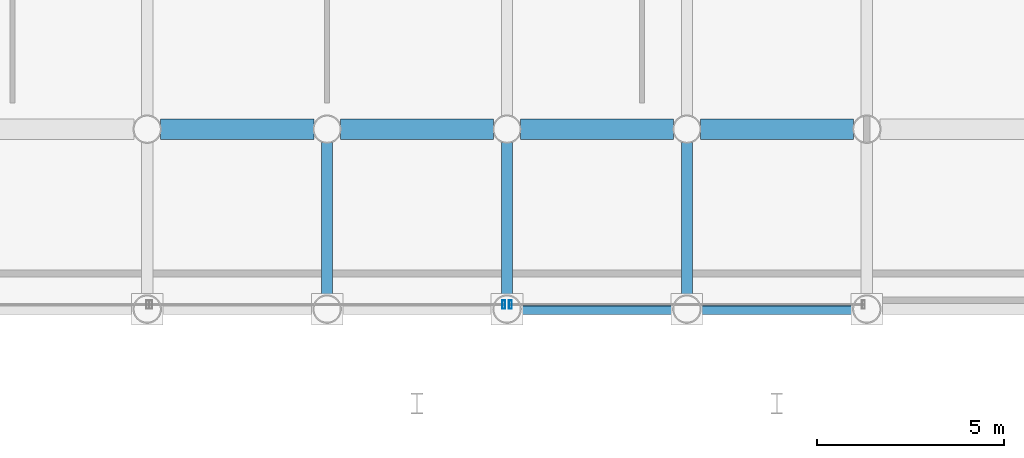
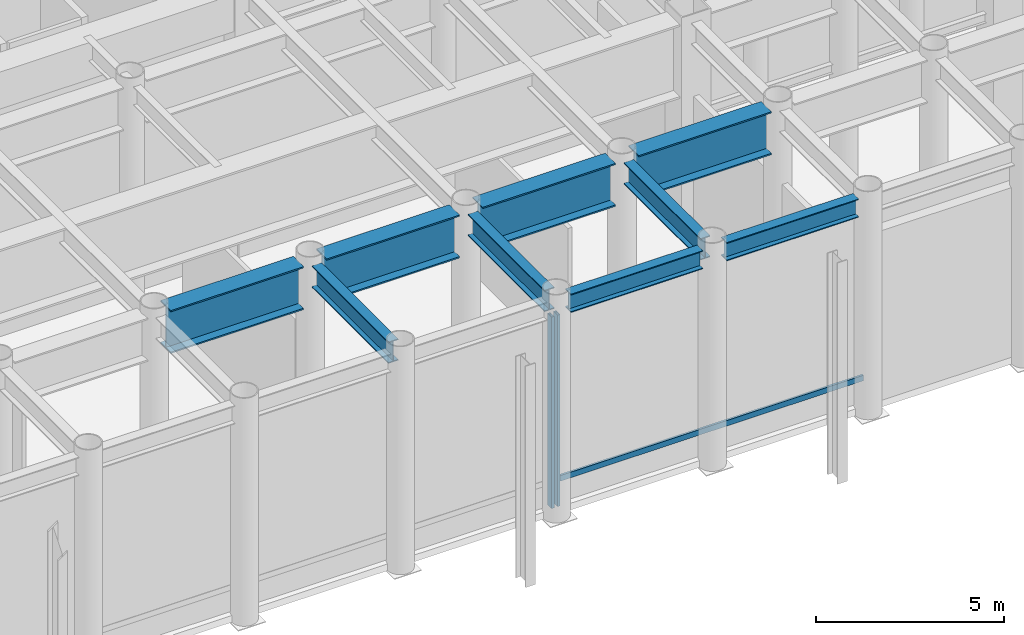
# One storey, part 6 of 23: 9 beams, 3 members, 2 elements without a shape of their own.
"""IFC4 building model written with IfcOpenShell, lengths in metres."""

from ifc_helpers import new_model, si_unit, direction, frame, origin, origin_2d, place, context, subcontext, project, spatial, hollow_rectangle, i_section, extrude, material, layer, layer_set, material_profile, profile_set, type_object, element, aggregate, save


model = new_model("IFC4")

# Units and contexts
model_context = context("Model", 3, precision=1e-05, world=origin(), true_north=direction((0.0, 1.0)))
body_context = subcontext(model_context, "Body", "Model", "MODEL_VIEW")
ifc_project = project(units=[si_unit("LENGTHUNIT", "METRE"), si_unit("AREAUNIT", "SQUARE_METRE"), si_unit("VOLUMEUNIT", "CUBIC_METRE"), si_unit("PLANEANGLEUNIT", "RADIAN"), si_unit("MASSUNIT", "GRAM", prefix="KILO")], contexts=[model_context])

# Site, building, storey
site_placement = place(None, origin())
site = spatial("IfcSite", under=ifc_project, at=site_placement, CompositionType="ELEMENT")
building_placement = place(site_placement, origin())
building = spatial("IfcBuilding", under=site, at=building_placement, Name="Kallvorn Hotel Tower", CompositionType="ELEMENT")
storey_placement = place(building_placement, frame((0.0, 0.0, 12.0)))
storey = spatial("IfcBuildingStorey", under=building, at=storey_placement, Name="L02", CompositionType="ELEMENT", Elevation=12.0)

# Beams
ifc_material_1 = material(Name="Structural steel S355JR", Category="steel")
ifc_material_profile_1 = material_profile(ifc_material_1, i_section(OverallWidth=0.300048828125, OverallDepth=0.60009765625, WebThickness=0.015380859375, FlangeThickness=0.030029296875, at=origin_2d()), Name="HE 600 B")
ifc_profile_set_1 = profile_set([ifc_material_profile_1], Name="Structural steel S355JR")
beam_type_1 = type_object("IfcBeamType", Name="BM_HE600B", PredefinedType="SPANDREL", material=ifc_profile_set_1)
for number, where, z_axis, x_axis, name in (
    (1, (5.1708984375, -24.0, 6.6201171875), (1.0, 0.0, 0.0), (0.0, 1.0, 0.0), "L03 Perimeter Spandrel 175"),
    (2, (9.970947265625, -24.0, 6.6201171875), (1.0, 0.0, 0.0), (0.0, 1.0, 0.0), "L03 Perimeter Spandrel 176"),
):
    element("IfcBeam", number, at=place(storey_placement, frame(where, z_axis=z_axis, x_axis=x_axis)), inside=storey, type_object=beam_type_1, Name=name, PredefinedType="SPANDREL", context=body_context, shape_type="SweptSolid", body=[
        extrude(i_section(OverallWidth=0.300048828125, OverallDepth=0.60009765625, WebThickness=0.015380859375, FlangeThickness=0.030029296875, at=origin_2d()), origin(), (0.0, 0.0, 1.0), 4.05810546875),
    ])
ifc_material_2 = material(Name="Structural steel S355JR", Category="steel")
ifc_material_profile_2 = material_profile(ifc_material_2, i_section(OverallWidth=0.300048828125, OverallDepth=0.699951171875, WebThickness=0.01708984375, FlangeThickness=0.031982421875, at=origin_2d()), Name="HE 700 B")
ifc_profile_set_2 = profile_set([ifc_material_profile_2], Name="Structural steel S355JR")
beam_type_2 = type_object("IfcBeamType", Name="BM_HE700B", PredefinedType="BEAM", material=ifc_profile_set_2)
for number, where, z_axis, x_axis, name in (
    (3, (0.0, -23.64404296875, 6.570068359375), (0.0, 1.0, 0.0), (-1.0, 0.0, 0.0), "L03 Primary Y-Girder 121"),
    (4, (4.800048828125, -23.64404296875, 6.570068359375), (0.0, 1.0, 0.0), (-1.0, 0.0, 0.0), "L03 Primary Y-Girder 125"),
    (5, (9.60009765625, -23.64404296875, 6.570068359375), (0.0, 1.0, 0.0), (-1.0, 0.0, 0.0), "L03 Primary Y-Girder 130"),
):
    element("IfcBeam", number, at=place(storey_placement, frame(where, z_axis=z_axis, x_axis=x_axis)), inside=storey, type_object=beam_type_2, Name=name, PredefinedType="BEAM", context=body_context, shape_type="SweptSolid", body=[
        extrude(i_section(OverallWidth=0.300048828125, OverallDepth=0.699951171875, WebThickness=0.01708984375, FlangeThickness=0.031982421875, at=origin_2d()), origin(), (0.0, 0.0, 1.0), 4.088134765625),
    ])
ifc_material_3 = material(Name="Structural steel S355JR", Category="steel")
ifc_material_profile_3 = material_profile(ifc_material_3, i_section(OverallWidth=0.550048828125, OverallDepth=1.39990234375, WebThickness=0.02490234375, FlangeThickness=0.044921875, at=origin_2d()), Name="PG 1400x550x25x45")
ifc_profile_set_3 = profile_set([ifc_material_profile_3], Name="Structural steel S355JR")
beam_type_3 = type_object("IfcBeamType", Name="BM_PG_1400", PredefinedType="BEAM", material=ifc_profile_set_3)
for number, where, z_axis, x_axis, name in (
    (6, (-4.444091796875, -19.199951171875, 6.219970703125), (1.0, 0.0, 0.0), (0.0, 1.0, 0.0), "L03 Primary X-Girder 08"),
    (7, (0.35595703125, -19.199951171875, 6.219970703125), (1.0, 0.0, 0.0), (0.0, 1.0, 0.0), "L03 Primary X-Girder 09"),
):
    element("IfcBeam", number, at=place(storey_placement, frame(where, z_axis=z_axis, x_axis=x_axis)), inside=storey, type_object=beam_type_3, Name=name, PredefinedType="BEAM", context=body_context, shape_type="SweptSolid", body=[
        extrude(i_section(OverallWidth=0.550048828125, OverallDepth=1.39990234375, WebThickness=0.02490234375, FlangeThickness=0.044921875, at=origin_2d()), origin(), (0.0, 0.0, 1.0), 4.088134765625),
    ])
for number, where, z_axis, x_axis, name in (
    (8, (5.156005859375, -19.199951171875, 6.219970703125), (1.0, 0.0, 0.0), (0.0, 1.0, 0.0), "L03 Primary X-Girder 10"),
    (9, (9.9560546875, -19.199951171875, 6.219970703125), (1.0, 0.0, 0.0), (0.0, 1.0, 0.0), "L03 Primary X-Girder 11"),
):
    element("IfcBeam", number, at=place(storey_placement, frame(where, z_axis=z_axis, x_axis=x_axis)), inside=storey, type_object=beam_type_3, Name=name, PredefinedType="BEAM", context=body_context, shape_type="SweptSolid", body=[
        extrude(i_section(OverallWidth=0.550048828125, OverallDepth=1.39990234375, WebThickness=0.02490234375, FlangeThickness=0.044921875, at=origin_2d()), origin(), (0.0, 0.0, 1.0), 4.087890625),
    ])

# Curtain wall, member
ifc_material_4 = material(Name="Thermally broken black-anodised aluminium AA 6063-T6", Category="aluminium")
ifc_layer = layer(ifc_material_4, 0.219970703125)
ifc_layer_set = layer_set([ifc_layer], Name="CW_SYS_2_PODIUM_CASC")
curtain_wall_type = type_object("IfcCurtainWallType", Name="CW_SYS_2_PODIUM_CASC", PredefinedType="USERDEFINED", material=ifc_layer_set)
curtain_wall_1_placement = place(storey_placement, origin())
curtain_wall_1 = element("IfcCurtainWall", 10, at=curtain_wall_1_placement, inside=storey, type_object=curtain_wall_type, Name="L02 Dark-Glass Curtain Wall CW-L02-S2", ObjectType="UNITISED CURTAIN WALL", PredefinedType="USERDEFINED")
ifc_material_5 = material(Name="Thermally broken black-anodised aluminium AA 6063-T6", Category="aluminium")
ifc_material_profile_4 = material_profile(ifc_material_5, hollow_rectangle(XDim=0.080078125, YDim=0.219970703125, WallThickness=0.0048828125, at=origin_2d()), Name="MUL 220x80")
ifc_profile_set_4 = profile_set([ifc_material_profile_4], Name="Thermally broken black-anodised aluminium AA 6063-T6")
member_type_1 = type_object("IfcMemberType", Name="CW_MULLION_220x80", PredefinedType="MULLION", material=ifc_profile_set_4)
member_1_placement = place(storey_placement, frame((4.7099609375, -23.8798828125, 0.02001953125), z_axis=(0.0, 0.0, 1.0), x_axis=(1.0, 0.0, 0.0)))
member_1 = element("IfcMember", 11, at=member_1_placement, type_object=member_type_1, Name="CW-L02-S2 Mullion 01", PredefinedType="MULLION", context=body_context, shape_type="SweptSolid", body=[
    extrude(hollow_rectangle(XDim=0.080078125, YDim=0.219970703125, WallThickness=0.0048828125, at=origin_2d()), origin(), (0.0, 0.0, 1.0), 6.22998046875),
])
aggregate(curtain_wall_1, [member_1])

# Curtain wall, members
curtain_wall_2_placement = place(storey_placement, origin())
curtain_wall_2 = element("IfcCurtainWall", 12, at=curtain_wall_2_placement, inside=storey, type_object=curtain_wall_type, Name="L02 Dark-Glass Curtain Wall CW-L02-S3", ObjectType="UNITISED CURTAIN WALL", PredefinedType="USERDEFINED")
member_2_placement = place(storey_placement, frame((4.889892578125, -23.8798828125, 0.02001953125), z_axis=(0.0, 0.0, 1.0), x_axis=(1.0, 0.0, 0.0)))
member_2 = element("IfcMember", 13, at=member_2_placement, type_object=member_type_1, Name="CW-L02-S3 Mullion 00", PredefinedType="MULLION", context=body_context, shape_type="SweptSolid", body=[
    extrude(hollow_rectangle(XDim=0.080078125, YDim=0.219970703125, WallThickness=0.0048828125, at=origin_2d()), origin(), (0.0, 0.0, 1.0), 6.22998046875),
])
ifc_material_6 = material(Name="Thermally broken black-anodised aluminium AA 6063-T6", Category="aluminium")
ifc_material_profile_5 = material_profile(ifc_material_6, hollow_rectangle(XDim=0.070068359375, YDim=0.179931640625, WallThickness=0.00390625, at=origin_2d()), Name="TRN 180x70")
ifc_profile_set_5 = profile_set([ifc_material_profile_5], Name="Thermally broken black-anodised aluminium AA 6063-T6")
member_type_2 = type_object("IfcMemberType", Name="CW_TRANSOM_180x70", PredefinedType="USERDEFINED", material=ifc_profile_set_5)
member_3_placement = place(storey_placement, frame((4.889892578125, -23.8798828125, 0.85009765625), z_axis=(1.0, 0.0, 0.0), x_axis=(0.0, 1.0, 0.0)))
member_3 = element("IfcMember", 14, at=member_3_placement, type_object=member_type_2, Name="CW-L02-S3 Transom 00M", ObjectType="TRANSOM", PredefinedType="USERDEFINED", context=body_context, shape_type="SweptSolid", body=[
    extrude(hollow_rectangle(XDim=0.070068359375, YDim=0.179931640625, WallThickness=0.00390625, at=origin_2d()), origin(), (0.0, 0.0, 1.0), 9.420166015625),
])
aggregate(curtain_wall_2, [member_2, member_3])

save(model, "model.ifc")
